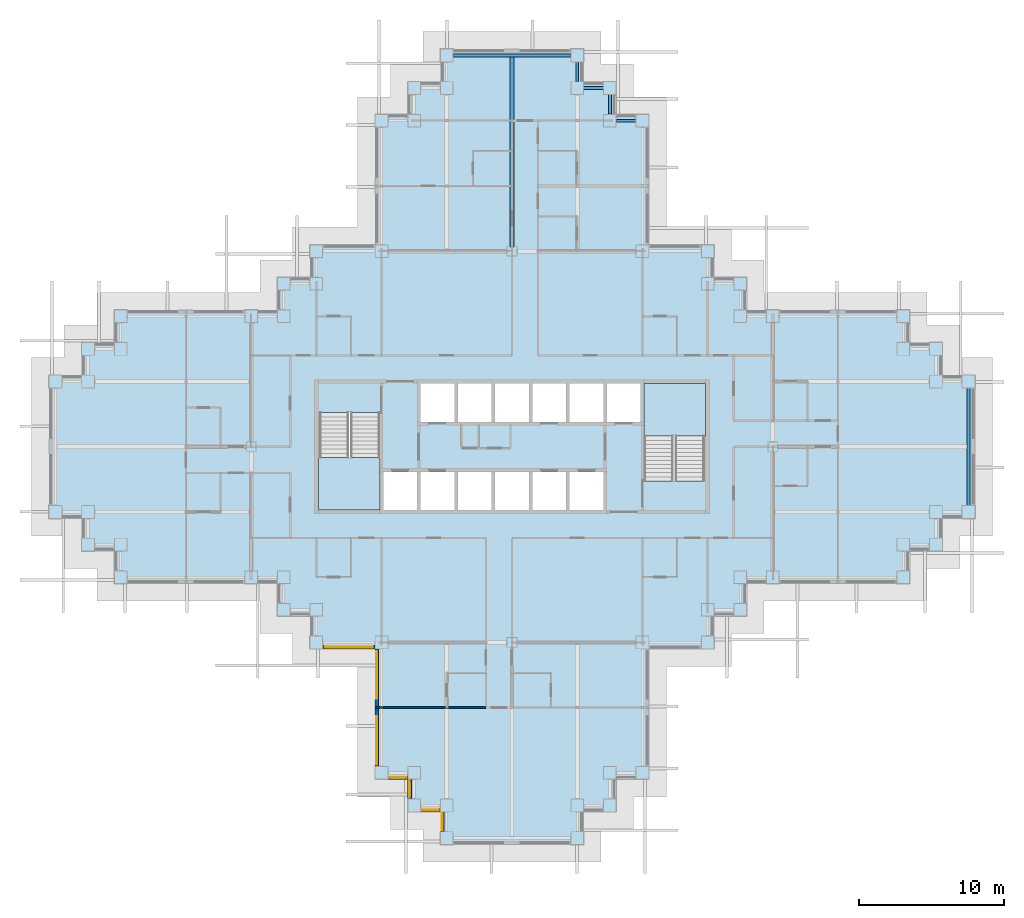
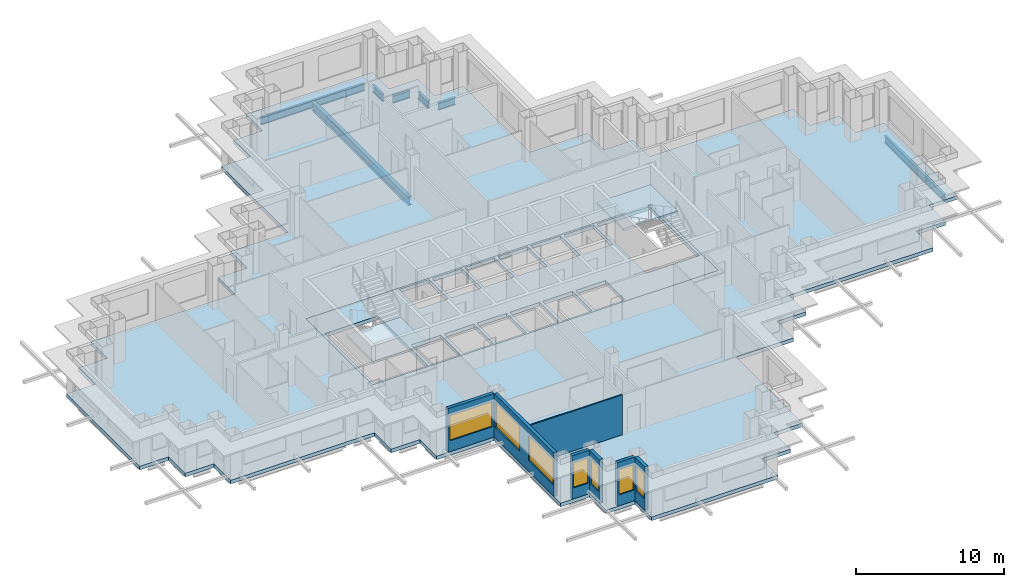
# One storey, part 2 of 15: 7 beams, 7 walls, 7 windows, 4 slabs, 7 openings, 2 elements without a shape of their own.
"""IFC4 building model written with IfcOpenShell, lengths in metres."""

import ifcopenshell
import ifcopenshell.guid

model = None  # the IFC model being written
_history = None  # IfcOwnerHistory: only IFC2X3 demands one
_inside = {}  # id of a spatial element -> (the spatial element, [elements in it])
_under = {}  # id of a project, library or spatial element -> (it, [spatial elements below it])
_declared = {}  # id of a project -> (the project, [libraries it declares])
_typed = {}  # id of a type object -> (the type object, [elements of that type])
_made_of = {}  # id of a material, layer set ... -> (it, [elements and type objects made of it])


def new_model(schema):
    """Start an empty IFC model of exactly this schema.

    Asked for "IFC4X3", IfcOpenShell would pick the latest addendum, in which some entities
    have other attributes; the version numbers below select the first issue.
    IFC2X3 requires an IfcOwnerHistory on every rooted entity: one is made here for all.
    """
    global model, _history
    if schema == "IFC4X3":
        model = ifcopenshell.file(schema_version=(4, 3, 0, 0))
    else:
        model = ifcopenshell.file(schema=schema)
    _inside.clear()
    _under.clear()
    _declared.clear()
    _typed.clear()
    _made_of.clear()
    _history = None
    if model.schema == "IFC2X3":
        org = make("IfcOrganization", Name="unknown")
        user = make(
            "IfcPersonAndOrganization",
            ThePerson=make("IfcPerson", FamilyName="unknown"),
            TheOrganization=org,
        )
        app = make(
            "IfcApplication",
            ApplicationDeveloper=org,
            Version="unknown",
            ApplicationFullName="unknown",
            ApplicationIdentifier="unknown",
        )
        _history = make(
            "IfcOwnerHistory",
            OwningUser=user,
            OwningApplication=app,
            ChangeAction="ADDED",
            CreationDate=0,
        )
    return model


def make(cls, **values):
    """One entity of the class cls with the attributes given. An attribute that is None is left unset."""
    return model.create_entity(
        cls, **{name: value for name, value in values.items() if value is not None}
    )


def rooted(cls, **values):
    """An entity with a GlobalId (a new one), such as an element, a storey or a relation."""
    return make(cls, GlobalId=ifcopenshell.guid.new(), OwnerHistory=_history, **values)


def si_unit(unit_type, name, prefix=None):
    """IfcSIUnit, for example si_unit("LENGTHUNIT", "METRE", prefix="MILLI")."""
    return make("IfcSIUnit", UnitType=unit_type, Prefix=prefix, Name=name)


def assignment(units):
    """IfcUnitAssignment: the units of a project."""
    return None if units is None else make("IfcUnitAssignment", Units=units)


def point(xyz):
    """IfcCartesianPoint."""
    return None if xyz is None else make("IfcCartesianPoint", Coordinates=xyz)


def direction(xyz):
    """IfcDirection."""
    return None if xyz is None else make("IfcDirection", DirectionRatios=xyz)


def frame(location, z_axis=None, x_axis=None):
    """IfcAxis2Placement3D, a coordinate frame: its origin and axes. An axis left out is left unset."""
    return make(
        "IfcAxis2Placement3D",
        Location=point(location),
        Axis=direction(z_axis),
        RefDirection=direction(x_axis),
    )


def frame_2d(location, x_axis=None):
    """IfcAxis2Placement2D, a coordinate frame in the plane: its origin and x axis."""
    return make(
        "IfcAxis2Placement2D", Location=point(location), RefDirection=direction(x_axis)
    )


def origin():
    """The frame at (0, 0, 0) with its axes left unset."""
    return frame((0.0, 0.0, 0.0))


def origin_2d():
    """The frame at (0, 0) in the plane with its x axis left unset."""
    return frame_2d((0.0, 0.0))


def place(relative_to, where):
    """IfcLocalPlacement: puts the frame where relative to a parent placement (None: the world)."""
    return make(
        "IfcLocalPlacement", PlacementRelTo=relative_to, RelativePlacement=where
    )


def context(
    kind, dimensions, precision=None, world=None, true_north=None, identifier=None
):
    """IfcGeometricRepresentationContext, for example the 3D "Model" context."""
    return make(
        "IfcGeometricRepresentationContext",
        ContextIdentifier=identifier,
        ContextType=kind,
        CoordinateSpaceDimension=dimensions,
        Precision=precision,
        WorldCoordinateSystem=world,
        TrueNorth=true_north,
    )


def subcontext(parent, identifier, kind, view, scale=None):
    """IfcGeometricRepresentationSubContext, for example "Body" below "Model"."""
    return make(
        "IfcGeometricRepresentationSubContext",
        ContextIdentifier=identifier,
        ContextType=kind,
        ParentContext=parent,
        TargetScale=scale,
        TargetView=view,
    )


def project(units=None, contexts=None):
    """IfcProject with its units and contexts."""
    return rooted(
        "IfcProject",
        Name="project",
        RepresentationContexts=contexts,
        UnitsInContext=assignment(units),
    )


def spatial(cls, under=None, at=None, **own):
    """A site, building, storey or space (cls), placed at a placement, below another one or the project."""
    s = rooted(cls, ObjectPlacement=at, **own)
    if under is not None:
        _under.setdefault(under.id(), (under, []))[1].append(s)
    return s


def polyline(points):
    """IfcPolyline through the points."""
    return make("IfcPolyline", Points=[point(p) for p in points])


def profile(cls, at=None, kind="AREA", **sizes):
    """A parametric profile (cls). Its sizes go by their IFC names, for example OverallWidth=200.0."""
    return make(cls, ProfileType=kind, Position=at, **sizes)


def rectangle(**sizes):
    """IfcRectangleProfileDef."""
    return profile("IfcRectangleProfileDef", **sizes)


def i_section(**sizes):
    """IfcIShapeProfileDef."""
    return profile("IfcIShapeProfileDef", **sizes)


def outline(outer, holes=None, kind="AREA"):
    """IfcArbitraryClosedProfileDef: a profile drawn as a closed curve; with holes, ...WithVoids."""
    if holes is None:
        return make("IfcArbitraryClosedProfileDef", ProfileType=kind, OuterCurve=outer)
    return make(
        "IfcArbitraryProfileDefWithVoids",
        ProfileType=kind,
        OuterCurve=outer,
        InnerCurves=holes,
    )


def extrude(swept, where, along, depth):
    """IfcExtrudedAreaSolid: the profile swept, set in the frame where, extruded along a direction by depth."""
    return make(
        "IfcExtrudedAreaSolid",
        SweptArea=swept,
        Position=where,
        ExtrudedDirection=direction(along),
        Depth=depth,
    )


def shape(context_of_items, identifier, shape_type, items):
    """IfcShapeRepresentation: the items that make up one representation, for example the "Body"."""
    return make(
        "IfcShapeRepresentation",
        ContextOfItems=context_of_items,
        RepresentationIdentifier=identifier,
        RepresentationType=shape_type,
        Items=items,
    )


def material(Name=None, Category=None):
    """IfcMaterial."""
    return make("IfcMaterial", Name=Name, Category=Category)


def layer(
    of_material, thickness, ventilated=None, Name=None, Category=None, Priority=None
):
    """IfcMaterialLayer: one layer of a wall or slab, of a material (None: an air gap)."""
    return make(
        "IfcMaterialLayer",
        Material=of_material,
        LayerThickness=thickness,
        IsVentilated=ventilated,
        Name=Name,
        Category=Category,
        Priority=Priority,
    )


def layer_set(layers, Name=None):
    """IfcMaterialLayerSet."""
    return make("IfcMaterialLayerSet", MaterialLayers=layers, LayerSetName=Name)


def material_profile(
    of_material, cross_section, Name=None, Category=None, Priority=None
):
    """IfcMaterialProfile: a cross section and its material."""
    return make(
        "IfcMaterialProfile",
        Name=Name,
        Material=of_material,
        Profile=cross_section,
        Priority=Priority,
        Category=Category,
    )


def profile_set(profiles, Name=None, composite=None):
    """IfcMaterialProfileSet."""
    return make(
        "IfcMaterialProfileSet",
        Name=Name,
        MaterialProfiles=profiles,
        CompositeProfile=composite,
    )


def made_of(thing, what):
    """Note that an element or type object is made of a material, layer set ...; save() writes the relation."""
    if what is not None:
        _made_of.setdefault(what.id(), (what, []))[1].append(thing)
    return thing


def type_object(cls, material=None, **own):
    """A type object (cls), such as IfcWallType, which elements share."""
    return made_of(rooted(cls, **own), material)


def element(
    cls,
    number,
    at=None,
    inside=None,
    cuts=None,
    type_object=None,
    material=None,
    context=None,
    identifier="Body",
    shape_type=None,
    held_by="IfcProductDefinitionShape",
    body=None,
    shapes=None,
    **own,
):
    """One element of the class cls, such as IfcWall. Its Tag is "e" and its number.

    at: its placement. inside: the storey or other place that contains it. cuts: it is an
    opening in that element (IfcRelVoidsElement). A single representation is given by context,
    identifier, shape_type and body (its items); several are given by shapes. held_by: the class
    of the entity that holds the representations. save() writes the other relations.
    """
    e = rooted(cls, Tag="e%d" % number, ObjectPlacement=at, **own)
    if body is not None:
        shapes = [shape(context, identifier, shape_type, body)]
    if shapes is not None:
        e.Representation = make(held_by, Representations=shapes)
    if inside is not None:
        _inside.setdefault(inside.id(), (inside, []))[1].append(e)
    if cuts is not None:
        rooted(
            "IfcRelVoidsElement", RelatingBuildingElement=cuts, RelatedOpeningElement=e
        )
    if type_object is not None:
        _typed.setdefault(type_object.id(), (type_object, []))[1].append(e)
    return made_of(e, material)


def fill(opening, filler):
    """IfcRelFillsElement: the door or window that sits in an opening."""
    return rooted(
        "IfcRelFillsElement",
        RelatingOpeningElement=opening,
        RelatedBuildingElement=filler,
    )


def aggregate(whole, parts):
    """IfcRelAggregates: a whole, such as a stair, and the parts it consists of."""
    return rooted("IfcRelAggregates", RelatingObject=whole, RelatedObjects=parts)


def save(model, path):
    """Write the relations noted so far, then the file.

    IfcRelAggregates (storeys below a building ...), IfcRelContainedInSpatialStructure (elements
    in a storey), IfcRelDefinesByType, IfcRelAssociatesMaterial and IfcRelDeclares: one each for
    every whole, place, type object, material and project.
    """
    for whole, parts in _under.values():
        aggregate(whole, parts)
    for where, things in _inside.values():
        rooted(
            "IfcRelContainedInSpatialStructure",
            RelatedElements=things,
            RelatingStructure=where,
        )
    for kind, things in _typed.values():
        rooted("IfcRelDefinesByType", RelatedObjects=things, RelatingType=kind)
    for what, things in _made_of.values():
        rooted("IfcRelAssociatesMaterial", RelatedObjects=things, RelatingMaterial=what)
    for by, libraries in _declared.values():
        rooted("IfcRelDeclares", RelatingContext=by, RelatedDefinitions=libraries)
    model.write(path)


model = new_model("IFC4")

# Units and contexts
model_context = context("Model", 3, precision=1e-05, world=origin(), true_north=direction((0.0, 1.0)))
body_context = subcontext(model_context, "Body", "Model", "MODEL_VIEW")
ifc_project = project(units=[si_unit("LENGTHUNIT", "METRE"), si_unit("AREAUNIT", "SQUARE_METRE"), si_unit("VOLUMEUNIT", "CUBIC_METRE"), si_unit("PLANEANGLEUNIT", "RADIAN"), si_unit("MASSUNIT", "GRAM", prefix="KILO")], contexts=[model_context])

# Site, building, storey
site_placement = place(None, origin())
site = spatial("IfcSite", under=ifc_project, at=site_placement, CompositionType="ELEMENT")
building_placement = place(site_placement, origin())
building = spatial("IfcBuilding", under=site, at=building_placement, Name="Caravel Reach Hotel and Residences", CompositionType="ELEMENT")
storey_placement = place(building_placement, frame((0.0, 0.0, 111.60009765625)))
storey = spatial("IfcBuildingStorey", under=building, at=storey_placement, Name="L27", CompositionType="ELEMENT", Elevation=111.60009765625)

# Beams
ifc_material_1 = material(Name="Structural steel Q355B", Category="steel")
ifc_material_profile_1 = material_profile(ifc_material_1, i_section(OverallWidth=0.300048828125, OverallDepth=0.699951171875, WebThickness=0.012939453125, FlangeThickness=0.02392578125, FilletRadius=0.01806640625, at=origin_2d()), Name="HN 700x300x13x24")
ifc_profile_set_1 = profile_set([ifc_material_profile_1], Name="Structural steel Q355B")
beam_type_1 = type_object("IfcBeamType", Name="Beam HN 700x300x13x24", PredefinedType="BEAM", material=ifc_profile_set_1)
beam_1_placement = place(storey_placement, frame((31.5, 40.800048828125, -0.650146484375), z_axis=(0.0, 1.0, 0.0), x_axis=(-1.0, 0.0, 0.0)))
element("IfcBeam", 1, at=beam_1_placement, inside=storey, type_object=beam_type_1, Name="B2 HN 700x300x13x24", PredefinedType="BEAM", context=body_context, shape_type="SweptSolid", body=[
    extrude(i_section(OverallWidth=0.300048828125, OverallDepth=0.699951171875, WebThickness=0.012939453125, FlangeThickness=0.02392578125, FilletRadius=0.01806640625, at=origin_2d()), origin(), (0.0, 0.0, 1.0), 13.099853515625),
])
ifc_material_2 = material(Name="Structural steel Q355B", Category="steel")
ifc_material_profile_2 = material_profile(ifc_material_2, i_section(OverallWidth=0.199951171875, OverallDepth=0.60009765625, WebThickness=0.010986328125, FlangeThickness=0.01708984375, FilletRadius=0.012939453125, at=origin_2d()), Name="HN 600x200x11x17")
ifc_profile_set_2 = profile_set([ifc_material_profile_2], Name="Structural steel Q355B")
beam_type_2 = type_object("IfcBeamType", Name="Spandrel beam HN 600x200x11x17", PredefinedType="SPANDREL", material=ifc_profile_set_2)
beam_2_placement = place(storey_placement, frame((63.0, 22.949951171875, -0.60009765625), z_axis=(0.0, 1.0, 0.0), x_axis=(-1.0, 0.0, 0.0)))
element("IfcBeam", 2, at=beam_2_placement, inside=storey, type_object=beam_type_2, Name="SP1 HN 600x200x11x17", PredefinedType="SPANDREL", context=body_context, shape_type="SweptSolid", body=[
    extrude(i_section(OverallWidth=0.199951171875, OverallDepth=0.60009765625, WebThickness=0.010986328125, FlangeThickness=0.01708984375, FilletRadius=0.012939453125, at=origin_2d()), origin(), (0.0, 0.0, 1.0), 8.10009765625),
])
for number, where, z_axis, x_axis, name in (
    (3, (40.050048828125, 49.5, -0.60009765625), (-1.0, 0.0, 0.0), (0.0, -1.0, 0.0), "SP1 HN 600x200x11x17"),
    (4, (38.25, 49.949951171875, -0.60009765625), (0.0, 1.0, 0.0), (-1.0, 0.0, 0.0), "SP1 HN 600x200x11x17"),
    (5, (37.800048828125, 51.75, -0.60009765625), (-1.0, 0.0, 0.0), (0.0, -1.0, 0.0), "SP1 HN 600x200x11x17"),
    (6, (36.0, 52.199951171875, -0.60009765625), (0.0, 1.0, 0.0), (-1.0, 0.0, 0.0), "SP1 HN 600x200x11x17"),
):
    element("IfcBeam", number, at=place(storey_placement, frame(where, z_axis=z_axis, x_axis=x_axis)), inside=storey, type_object=beam_type_2, Name=name, PredefinedType="SPANDREL", context=body_context, shape_type="SweptSolid", body=[
        extrude(i_section(OverallWidth=0.199951171875, OverallDepth=0.60009765625, WebThickness=0.010986328125, FlangeThickness=0.01708984375, FilletRadius=0.012939453125, at=origin_2d()), origin(), (0.0, 0.0, 1.0), 1.35009765625),
    ])
beam_3_placement = place(storey_placement, frame((35.550048828125, 54.0, -0.60009765625), z_axis=(-1.0, 0.0, 0.0), x_axis=(0.0, -1.0, 0.0)))
element("IfcBeam", 7, at=beam_3_placement, inside=storey, type_object=beam_type_2, Name="SP1 HN 600x200x11x17", PredefinedType="SPANDREL", context=body_context, shape_type="SweptSolid", body=[
    extrude(i_section(OverallWidth=0.199951171875, OverallDepth=0.60009765625, WebThickness=0.010986328125, FlangeThickness=0.01708984375, FilletRadius=0.012939453125, at=origin_2d()), origin(), (0.0, 0.0, 1.0), 8.10009765625),
])

# Slab
ifc_material_3 = material(Name="Concrete C40", Category="concrete")
ifc_layer_1 = layer(ifc_material_3, 0.300048828125)
ifc_layer_set_1 = layer_set([ifc_layer_1], Name="Core floor slab 300 mm")
slab_type_1 = type_object("IfcSlabType", Name="Core floor slab 300 mm", PredefinedType="FLOOR", material=ifc_layer_set_1)
slab_1_placement = place(storey_placement, frame((0.0, 0.0, -0.300048828125)))
element("IfcSlab", 8, at=slab_1_placement, inside=storey, type_object=slab_type_1, Name="L27 core floor", PredefinedType="FLOOR", context=body_context, shape_type="SweptSolid", body=[
    extrude(outline(polyline([(18.0, 31.5), (45.0, 31.5), (45.0, 22.5), (18.0, 22.5), (18.0, 31.5)]), holes=[polyline([(22.625, 25.27490234375), (22.625, 22.64990234375), (24.9462890625, 22.64990234375), (24.9462890625, 25.27490234375), (22.625, 25.27490234375)]), polyline([(27.517822265625, 25.27490234375), (25.1962890625, 25.27490234375), (25.1962890625, 22.64990234375), (27.517822265625, 22.64990234375), (27.517822265625, 25.27490234375)]), polyline([(30.08935546875, 25.27490234375), (27.767822265625, 25.27490234375), (27.767822265625, 22.64990234375), (30.08935546875, 22.64990234375), (30.08935546875, 25.27490234375)]), polyline([(32.66064453125, 25.27490234375), (30.33935546875, 25.27490234375), (30.33935546875, 22.64990234375), (32.66064453125, 22.64990234375), (32.66064453125, 25.27490234375)]), polyline([(18.22509765625, 22.64990234375), (22.375, 22.64990234375), (22.375, 29.35009765625), (18.22509765625, 29.35009765625), (18.22509765625, 22.64990234375)]), polyline([(27.517822265625, 31.35009765625), (25.1962890625, 31.35009765625), (25.1962890625, 28.72509765625), (27.517822265625, 28.72509765625), (27.517822265625, 31.35009765625)]), polyline([(30.08935546875, 31.35009765625), (27.767822265625, 31.35009765625), (27.767822265625, 28.72509765625), (30.08935546875, 28.72509765625), (30.08935546875, 31.35009765625)]), polyline([(32.91064453125, 25.27490234375), (32.91064453125, 22.64990234375), (35.232177734375, 22.64990234375), (35.232177734375, 25.27490234375), (32.91064453125, 25.27490234375)]), polyline([(37.8037109375, 25.27490234375), (35.482177734375, 25.27490234375), (35.482177734375, 22.64990234375), (37.8037109375, 22.64990234375), (37.8037109375, 25.27490234375)]), polyline([(44.77490234375, 31.35009765625), (40.625, 31.35009765625), (40.625, 24.64990234375), (44.77490234375, 24.64990234375), (44.77490234375, 31.35009765625)]), polyline([(32.66064453125, 31.35009765625), (30.33935546875, 31.35009765625), (30.33935546875, 28.72509765625), (32.66064453125, 28.72509765625), (32.66064453125, 31.35009765625)]), polyline([(35.232177734375, 31.35009765625), (32.91064453125, 31.35009765625), (32.91064453125, 28.72509765625), (35.232177734375, 28.72509765625), (35.232177734375, 31.35009765625)]), polyline([(37.8037109375, 31.35009765625), (35.482177734375, 31.35009765625), (35.482177734375, 28.72509765625), (37.8037109375, 28.72509765625), (37.8037109375, 31.35009765625)]), polyline([(40.375, 31.35009765625), (38.0537109375, 31.35009765625), (38.0537109375, 28.72509765625), (40.375, 28.72509765625), (40.375, 31.35009765625)])]), origin(), (0.0, 0.0, 1.0), 0.300048828125),
])

# Stair, slab
ifc_material_4 = material(Name="Concrete C40", Category="concrete")
stair_type = type_object("IfcStairType", Name="Core stair", PredefinedType="HALF_TURN_STAIR", material=ifc_material_4)
stair_1_placement = place(storey_placement, origin())
stair_1 = element("IfcStair", 9, at=stair_1_placement, inside=storey, type_object=stair_type, Name="L27 Exit stair A", PredefinedType="HALF_TURN_STAIR")
ifc_material_5 = material(Name="Concrete C40", Category="concrete")
ifc_layer_2 = layer(ifc_material_5, 0.199951171875)
ifc_layer_set_2 = layer_set([ifc_layer_2], Name="Core stair landing")
slab_type_2 = type_object("IfcSlabType", Name="Core stair landing", PredefinedType="LANDING", material=ifc_layer_set_2)
slab_2_placement = place(storey_placement, frame((0.0, 0.0, 1.599853515625)))
slab_2 = element("IfcSlab", 10, at=slab_2_placement, type_object=slab_type_2, Name="ST-A landing 1", PredefinedType="LANDING", context=body_context, shape_type="SweptSolid", body=[
    extrude(outline(polyline([(18.14990234375, 26.27001953125), (18.14990234375, 22.64990234375), (22.375, 22.64990234375), (22.375, 26.27001953125), (18.14990234375, 26.27001953125)])), origin(), (0.0, 0.0, 1.0), 0.199951171875),
])
aggregate(stair_1, [slab_2])

stair_2_placement = place(storey_placement, origin())
stair_2 = element("IfcStair", 11, at=stair_2_placement, inside=storey, type_object=stair_type, Name="L27 Exit stair B", PredefinedType="HALF_TURN_STAIR")
slab_3_placement = place(storey_placement, frame((0.0, 0.0, 1.599853515625)))
slab_3 = element("IfcSlab", 12, at=slab_3_placement, type_object=slab_type_2, Name="ST-B landing 1", PredefinedType="LANDING", context=body_context, shape_type="SweptSolid", body=[
    extrude(outline(polyline([(44.85009765625, 27.72998046875), (44.85009765625, 31.35009765625), (40.625, 31.35009765625), (40.625, 27.72998046875), (44.85009765625, 27.72998046875)])), origin(), (0.0, 0.0, 1.0), 0.199951171875),
])
aggregate(stair_2, [slab_3])

# Slab
ifc_material_6 = material(Name="Concrete C40 post-tensioned", Category="concrete")
ifc_layer_3 = layer(ifc_material_6, 0.300048828125)
ifc_layer_set_3 = layer_set([ifc_layer_3], Name="Floor slab 300")
slab_type_3 = type_object("IfcSlabType", Name="Floor slab 300", PredefinedType="FLOOR", material=ifc_layer_set_3)
slab_4_placement = place(storey_placement, frame((0.0, 0.0, -0.300048828125)))
element("IfcSlab", 13, at=slab_4_placement, inside=storey, type_object=slab_type_3, Name="S2 slab L27", PredefinedType="FLOOR", context=body_context, shape_type="SweptSolid", body=[
    extrude(outline(polyline([(17.550048828125, 13.050048828125), (17.550048828125, 15.300048828125), (15.300048828125, 15.300048828125), (15.300048828125, 17.550048828125), (4.050048828125, 17.550048828125), (4.050048828125, 19.800048828125), (1.800048828125, 19.800048828125), (1.800048828125, 22.050048828125), (-0.449951171875, 22.050048828125), (-0.449951171875, 31.949951171875), (1.800048828125, 31.949951171875), (1.800048828125, 34.199951171875), (4.050048828125, 34.199951171875), (4.050048828125, 36.449951171875), (15.300048828125, 36.449951171875), (15.300048828125, 38.699951171875), (17.550048828125, 38.699951171875), (17.550048828125, 40.949951171875), (22.050048828125, 40.949951171875), (22.050048828125, 49.949951171875), (24.300048828125, 49.949951171875), (24.300048828125, 52.199951171875), (26.550048828125, 52.199951171875), (26.550048828125, 54.449951171875), (36.449951171875, 54.449951171875), (36.449951171875, 52.199951171875), (38.699951171875, 52.199951171875), (38.699951171875, 49.949951171875), (40.949951171875, 49.949951171875), (40.949951171875, 40.949951171875), (45.449951171875, 40.949951171875), (45.449951171875, 38.699951171875), (47.699951171875, 38.699951171875), (47.699951171875, 36.449951171875), (58.949951171875, 36.449951171875), (58.949951171875, 34.199951171875), (61.199951171875, 34.199951171875), (61.199951171875, 31.949951171875), (63.449951171875, 31.949951171875), (63.449951171875, 22.050048828125), (61.199951171875, 22.050048828125), (61.199951171875, 19.800048828125), (58.949951171875, 19.800048828125), (58.949951171875, 17.550048828125), (47.699951171875, 17.550048828125), (47.699951171875, 15.300048828125), (45.449951171875, 15.300048828125), (45.449951171875, 13.050048828125), (40.949951171875, 13.050048828125), (40.949951171875, 4.050048828125), (38.699951171875, 4.050048828125), (38.699951171875, 1.800048828125), (36.449951171875, 1.800048828125), (36.449951171875, -0.449951171875), (26.550048828125, -0.449951171875), (26.550048828125, 1.800048828125), (24.300048828125, 1.800048828125), (24.300048828125, 4.050048828125), (22.050048828125, 4.050048828125), (22.050048828125, 13.050048828125), (17.550048828125, 13.050048828125)]), holes=[polyline([(45.0, 31.5), (18.0, 31.5), (18.0, 22.5), (45.0, 22.5), (45.0, 31.5)])]), origin(), (0.0, 0.0, 1.0), 0.300048828125),
])

# Wall, opening, window
ifc_material_7 = material(Name="Insulated rainscreen wall, aluminium cladding", Category="aluminium")
ifc_layer_4 = layer(ifc_material_7, 0.25)
ifc_layer_set_4 = layer_set([ifc_layer_4], Name="EW1 Tower rainscreen wall")
wall_type_1 = type_object("IfcWallType", Name="EW1 Tower rainscreen wall", PredefinedType="SOLIDWALL", material=ifc_layer_set_4)
wall_1_placement = place(storey_placement, frame((22.949951171875, 4.175048828125, 0.0), z_axis=(0.0, 0.0, 1.0), x_axis=(1.0, 0.0, 0.0)))
wall_1 = element("IfcWall", 14, at=wall_1_placement, inside=storey, type_object=wall_type_1, Name="External wall L27 S1.1", PredefinedType="SOLIDWALL", context=body_context, shape_type="SweptSolid", body=[
    extrude(rectangle(XDim=1.35009765625, YDim=0.25, at=frame_2d((0.675048828125, 0.0))), origin(), (0.0, 0.0, 1.0), 3.599853515625),
])
opening_1_placement = place(wall_1_placement, frame((0.10009765625, 0.0, 0.89990234375)))
opening_1 = element("IfcOpeningElement", 15, at=opening_1_placement, cuts=wall_1, Name="Opening WN8", PredefinedType="OPENING", context=body_context, shape_type="SweptSolid", body=[
    extrude(rectangle(XDim=1.14990234375, YDim=2.080078125, at=frame_2d((0.574951171875, 1.0400390625))), frame((0.0, 0.135009765625, 0.0), z_axis=(0.0, -1.0, 0.0), x_axis=(1.0, 0.0, 0.0)), (0.0, 0.0, 1.0), 0.27001953125),
])
ifc_material_8 = material(Name="Dark low-e glazing in black aluminium frame", Category="aluminium")
window_type_1 = type_object("IfcWindowType", Name="Hotel suite corner window 1150 x 2080", PartitioningType="SINGLE_PANEL", PredefinedType="WINDOW", material=ifc_material_8)
window_1_placement = place(opening_1_placement, origin())
window_1 = element("IfcWindow", 16, at=window_1_placement, inside=storey, type_object=window_type_1, Name="Window L27 S1.1.1", OverallHeight=2.080078125, OverallWidth=1.14990234375, PartitioningType="SINGLE_PANEL", PredefinedType="WINDOW", context=body_context, shape_type="SweptSolid", body=[
    extrude(rectangle(XDim=1.14990234375, YDim=2.080078125, at=frame_2d((0.574951171875, 1.0400390625))), frame((0.0, 0.030029296875, 0.0), z_axis=(0.0, -1.0, 0.0), x_axis=(1.0, 0.0, 0.0)), (0.0, 0.0, 1.0), 0.06005859375),
])
fill(opening_1, window_1)

wall_2_placement = place(storey_placement, frame((24.425048828125, 4.050048828125, 0.0), z_axis=(0.0, 0.0, 1.0), x_axis=(0.0, -1.0, 0.0)))
wall_2 = element("IfcWall", 17, at=wall_2_placement, inside=storey, type_object=wall_type_1, Name="External wall L27 W2.1", PredefinedType="SOLIDWALL", context=body_context, shape_type="SweptSolid", body=[
    extrude(rectangle(XDim=1.35009765625, YDim=0.25, at=frame_2d((0.675048828125, 0.0))), origin(), (0.0, 0.0, 1.0), 3.599853515625),
])
opening_2_placement = place(wall_2_placement, frame((0.10009765625, 0.0, 0.89990234375)))
opening_2 = element("IfcOpeningElement", 18, at=opening_2_placement, cuts=wall_2, Name="Opening WN8", PredefinedType="OPENING", context=body_context, shape_type="SweptSolid", body=[
    extrude(rectangle(XDim=1.14990234375, YDim=2.080078125, at=frame_2d((0.574951171875, 1.0400390625))), frame((0.0, 0.135009765625, 0.0), z_axis=(0.0, -1.0, 0.0), x_axis=(1.0, 0.0, 0.0)), (0.0, 0.0, 1.0), 0.27001953125),
])
window_2_placement = place(opening_2_placement, origin())
window_2 = element("IfcWindow", 19, at=window_2_placement, inside=storey, type_object=window_type_1, Name="Window L27 W2.1.1", OverallHeight=2.080078125, OverallWidth=1.14990234375, PartitioningType="SINGLE_PANEL", PredefinedType="WINDOW", context=body_context, shape_type="SweptSolid", body=[
    extrude(rectangle(XDim=1.14990234375, YDim=2.080078125, at=frame_2d((0.574951171875, 1.0400390625))), frame((0.0, 0.030029296875, 0.0), z_axis=(0.0, -1.0, 0.0), x_axis=(1.0, 0.0, 0.0)), (0.0, 0.0, 1.0), 0.06005859375),
])
fill(opening_2, window_2)

wall_3_placement = place(storey_placement, frame((25.199951171875, 1.925048828125, 0.0), z_axis=(0.0, 0.0, 1.0), x_axis=(1.0, 0.0, 0.0)))
wall_3 = element("IfcWall", 20, at=wall_3_placement, inside=storey, type_object=wall_type_1, Name="External wall L27 S3.1", PredefinedType="SOLIDWALL", context=body_context, shape_type="SweptSolid", body=[
    extrude(rectangle(XDim=1.35009765625, YDim=0.25, at=frame_2d((0.675048828125, 0.0))), origin(), (0.0, 0.0, 1.0), 3.599853515625),
])
opening_3_placement = place(wall_3_placement, frame((0.10009765625, 0.0, 0.89990234375)))
opening_3 = element("IfcOpeningElement", 21, at=opening_3_placement, cuts=wall_3, Name="Opening WN8", PredefinedType="OPENING", context=body_context, shape_type="SweptSolid", body=[
    extrude(rectangle(XDim=1.14990234375, YDim=2.080078125, at=frame_2d((0.574951171875, 1.0400390625))), frame((0.0, 0.135009765625, 0.0), z_axis=(0.0, -1.0, 0.0), x_axis=(1.0, 0.0, 0.0)), (0.0, 0.0, 1.0), 0.27001953125),
])
window_3_placement = place(opening_3_placement, origin())
window_3 = element("IfcWindow", 22, at=window_3_placement, inside=storey, type_object=window_type_1, Name="Window L27 S3.1.1", OverallHeight=2.080078125, OverallWidth=1.14990234375, PartitioningType="SINGLE_PANEL", PredefinedType="WINDOW", context=body_context, shape_type="SweptSolid", body=[
    extrude(rectangle(XDim=1.14990234375, YDim=2.080078125, at=frame_2d((0.574951171875, 1.0400390625))), frame((0.0, 0.030029296875, 0.0), z_axis=(0.0, -1.0, 0.0), x_axis=(1.0, 0.0, 0.0)), (0.0, 0.0, 1.0), 0.06005859375),
])
fill(opening_3, window_3)

wall_4_placement = place(storey_placement, frame((26.675048828125, 1.800048828125, 0.0), z_axis=(0.0, 0.0, 1.0), x_axis=(0.0, -1.0, 0.0)))
wall_4 = element("IfcWall", 23, at=wall_4_placement, inside=storey, type_object=wall_type_1, Name="External wall L27 W4.1", PredefinedType="SOLIDWALL", context=body_context, shape_type="SweptSolid", body=[
    extrude(rectangle(XDim=1.35009765625, YDim=0.25, at=frame_2d((0.675048828125, 0.0))), origin(), (0.0, 0.0, 1.0), 3.599853515625),
])
opening_4_placement = place(wall_4_placement, frame((0.10009765625, 0.0, 0.89990234375)))
opening_4 = element("IfcOpeningElement", 24, at=opening_4_placement, cuts=wall_4, Name="Opening WN8", PredefinedType="OPENING", context=body_context, shape_type="SweptSolid", body=[
    extrude(rectangle(XDim=1.14990234375, YDim=2.080078125, at=frame_2d((0.574951171875, 1.0400390625))), frame((0.0, 0.135009765625, 0.0), z_axis=(0.0, -1.0, 0.0), x_axis=(1.0, 0.0, 0.0)), (0.0, 0.0, 1.0), 0.27001953125),
])
window_4_placement = place(opening_4_placement, origin())
window_4 = element("IfcWindow", 25, at=window_4_placement, inside=storey, type_object=window_type_1, Name="Window L27 W4.1.1", OverallHeight=2.080078125, OverallWidth=1.14990234375, PartitioningType="SINGLE_PANEL", PredefinedType="WINDOW", context=body_context, shape_type="SweptSolid", body=[
    extrude(rectangle(XDim=1.14990234375, YDim=2.080078125, at=frame_2d((0.574951171875, 1.0400390625))), frame((0.0, 0.030029296875, 0.0), z_axis=(0.0, -1.0, 0.0), x_axis=(1.0, 0.0, 0.0)), (0.0, 0.0, 1.0), 0.06005859375),
])
fill(opening_4, window_4)

wall_5_placement = place(storey_placement, frame((18.449951171875, 13.175048828125, 0.0), z_axis=(0.0, 0.0, 1.0), x_axis=(1.0, 0.0, 0.0)))
wall_5 = element("IfcWall", 26, at=wall_5_placement, inside=storey, type_object=wall_type_1, Name="External wall L27 S59.1", PredefinedType="SOLIDWALL", context=body_context, shape_type="SweptSolid", body=[
    extrude(rectangle(XDim=3.60009765625, YDim=0.25, at=frame_2d((1.800048828125, 0.0))), origin(), (0.0, 0.0, 1.0), 3.599853515625),
])
opening_5_placement = place(wall_5_placement, frame((0.14990234375, 0.0, 0.89990234375)))
opening_5 = element("IfcOpeningElement", 27, at=opening_5_placement, cuts=wall_5, Name="Opening WN4", PredefinedType="OPENING", context=body_context, shape_type="SweptSolid", body=[
    extrude(rectangle(XDim=3.300048828125, YDim=2.080078125, at=frame_2d((1.64990234375, 1.0400390625))), frame((0.0, 0.135009765625, 0.0), z_axis=(0.0, -1.0, 0.0), x_axis=(1.0, 0.0, 0.0)), (0.0, 0.0, 1.0), 0.27001953125),
])
ifc_material_9 = material(Name="Dark low-e glazing in black aluminium frame", Category="aluminium")
window_type_2 = type_object("IfcWindowType", Name="Hotel guest room window 3300 x 2080", PartitioningType="SINGLE_PANEL", PredefinedType="WINDOW", material=ifc_material_9)
window_5_placement = place(opening_5_placement, origin())
window_5 = element("IfcWindow", 28, at=window_5_placement, inside=storey, type_object=window_type_2, Name="Window L27 S59.1.1", OverallHeight=2.080078125, OverallWidth=3.300048828125, PartitioningType="SINGLE_PANEL", PredefinedType="WINDOW", context=body_context, shape_type="SweptSolid", body=[
    extrude(rectangle(XDim=3.300048828125, YDim=2.080078125, at=frame_2d((1.64990234375, 1.0400390625))), frame((0.0, 0.030029296875, 0.0), z_axis=(0.0, -1.0, 0.0), x_axis=(1.0, 0.0, 0.0)), (0.0, 0.0, 1.0), 0.06005859375),
])
fill(opening_5, window_5)

# Wall, openings, windows
wall_6_placement = place(storey_placement, frame((22.175048828125, 13.050048828125, 0.0), z_axis=(0.0, 0.0, 1.0), x_axis=(0.0, -1.0, 0.0)))
wall_6 = element("IfcWall", 29, at=wall_6_placement, inside=storey, type_object=wall_type_1, Name="External wall L27 W60.1", PredefinedType="SOLIDWALL", context=body_context, shape_type="SweptSolid", body=[
    extrude(rectangle(XDim=8.10009765625, YDim=0.25, at=frame_2d((4.050048828125, 0.0))), origin(), (0.0, 0.0, 1.0), 3.599853515625),
])
opening_6_placement = place(wall_6_placement, frame((0.14990234375, 0.0, 0.89990234375)))
opening_6 = element("IfcOpeningElement", 30, at=opening_6_placement, cuts=wall_6, Name="Opening WN4", PredefinedType="OPENING", context=body_context, shape_type="SweptSolid", body=[
    extrude(rectangle(XDim=3.300048828125, YDim=2.080078125, at=frame_2d((1.64990234375, 1.0400390625))), frame((0.0, 0.135009765625, 0.0), z_axis=(0.0, -1.0, 0.0), x_axis=(1.0, 0.0, 0.0)), (0.0, 0.0, 1.0), 0.27001953125),
])
opening_7_placement = place(wall_6_placement, frame((4.64990234375, 0.0, 0.89990234375)))
opening_7 = element("IfcOpeningElement", 31, at=opening_7_placement, cuts=wall_6, Name="Opening WN4", PredefinedType="OPENING", context=body_context, shape_type="SweptSolid", body=[
    extrude(rectangle(XDim=3.300048828125, YDim=2.080078125, at=frame_2d((1.64990234375, 1.0400390625))), frame((0.0, 0.135009765625, 0.0), z_axis=(0.0, -1.0, 0.0), x_axis=(1.0, 0.0, 0.0)), (0.0, 0.0, 1.0), 0.27001953125),
])
window_6_placement = place(opening_6_placement, origin())
window_6 = element("IfcWindow", 32, at=window_6_placement, inside=storey, type_object=window_type_2, Name="Window L27 W60.1.1", OverallHeight=2.080078125, OverallWidth=3.300048828125, PartitioningType="SINGLE_PANEL", PredefinedType="WINDOW", context=body_context, shape_type="SweptSolid", body=[
    extrude(rectangle(XDim=3.300048828125, YDim=2.080078125, at=frame_2d((1.64990234375, 1.0400390625))), frame((0.0, 0.030029296875, 0.0), z_axis=(0.0, -1.0, 0.0), x_axis=(1.0, 0.0, 0.0)), (0.0, 0.0, 1.0), 0.06005859375),
])
fill(opening_6, window_6)
window_7_placement = place(opening_7_placement, origin())
window_7 = element("IfcWindow", 33, at=window_7_placement, inside=storey, type_object=window_type_2, Name="Window L27 W60.1.2", OverallHeight=2.080078125, OverallWidth=3.300048828125, PartitioningType="SINGLE_PANEL", PredefinedType="WINDOW", context=body_context, shape_type="SweptSolid", body=[
    extrude(rectangle(XDim=3.300048828125, YDim=2.080078125, at=frame_2d((1.64990234375, 1.0400390625))), frame((0.0, 0.030029296875, 0.0), z_axis=(0.0, -1.0, 0.0), x_axis=(1.0, 0.0, 0.0)), (0.0, 0.0, 1.0), 0.06005859375),
])
fill(opening_7, window_7)

# Wall
ifc_material_10 = material(Name="Gypsum board on steel stud", Category="steel")
ifc_layer_5 = layer(ifc_material_10, 0.10009765625)
ifc_layer_set_5 = layer_set([ifc_layer_5], Name="Partition 100 mm")
wall_type_2 = type_object("IfcWallType", Name="Partition 100 mm", PredefinedType="PARTITIONING", material=ifc_layer_set_5)
wall_7_placement = place(storey_placement, frame((22.110107421875, 9.0, 0.0), z_axis=(0.0, 0.0, 1.0), x_axis=(1.0, 0.0, 0.0)))
element("IfcWall", 34, at=wall_7_placement, inside=storey, type_object=wall_type_2, Name="L27 wall w048", PredefinedType="PARTITIONING", context=body_context, shape_type="SweptSolid", body=[
    extrude(rectangle(XDim=7.58984375, YDim=0.10009765625, at=frame_2d((3.794921875, 0.0))), origin(), (0.0, 0.0, 1.0), 3.2998046875),
])

save(model, "model.ifc")
